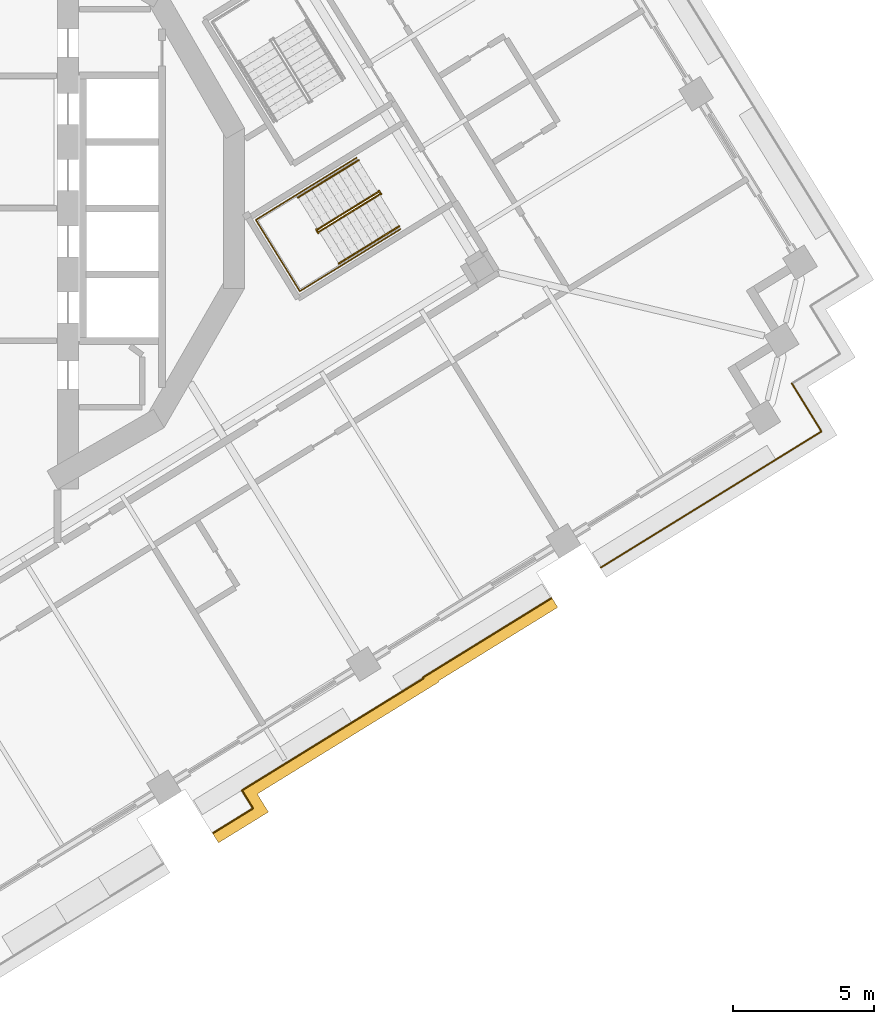
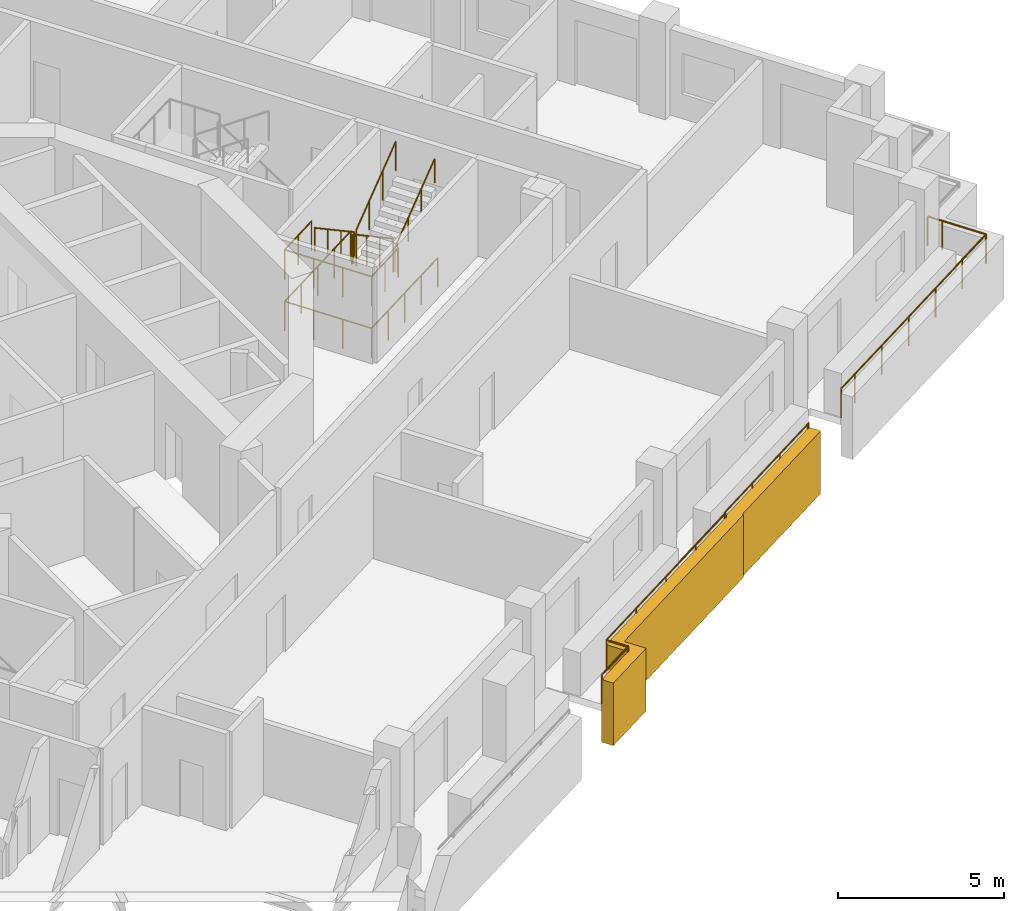
# One storey, part 16 of 20: 10 railings, 1 covering.
"""IFC4 building model written with IfcOpenShell, lengths in metres."""

from ifc_helpers import new_model, si_unit, direction, frame, origin, origin_2d, place, context, subcontext, project, spatial, polyline, circle, outline, extrude, material, type_object, element, save


model = new_model("IFC4")

# Units and contexts
model_context = context("Model", 3, precision=1e-05, world=origin(), true_north=direction((0.0, 1.0)))
body_context = subcontext(model_context, "Body", "Model", "MODEL_VIEW")
ifc_project = project(units=[si_unit("LENGTHUNIT", "METRE"), si_unit("AREAUNIT", "SQUARE_METRE"), si_unit("VOLUMEUNIT", "CUBIC_METRE"), si_unit("PLANEANGLEUNIT", "RADIAN"), si_unit("MASSUNIT", "GRAM", prefix="KILO")], contexts=[model_context])

# Site, building, storey
site_placement = place(None, origin())
site = spatial("IfcSite", under=ifc_project, at=site_placement, CompositionType="ELEMENT")
building_placement = place(site_placement, origin())
building = spatial("IfcBuilding", under=site, at=building_placement, Name="Cantera Rosa Tower", CompositionType="ELEMENT")
storey_placement = place(building_placement, frame((0.0, 0.0, 159.0)))
storey = spatial("IfcBuildingStorey", under=building, at=storey_placement, Name="L34", CompositionType="ELEMENT", Elevation=159.0)

# Railings
ifc_material_1 = material(Name="Stainless steel and laminated glass", Category="steel")
railing_type_1 = type_object("IfcRailingType", Name="GUARD 1100", PredefinedType="BALUSTRADE", material=ifc_material_1)
railing_1_placement = place(storey_placement, frame((16.9736328125, -16.659912109375, 0.0)))
element("IfcRailing", 1, at=railing_1_placement, inside=storey, type_object=railing_type_1, Name="GUARD L34-7", PredefinedType="BALUSTRADE", context=body_context, shape_type="SweptSolid", body=[
    extrude(circle(Radius=0.030029296875, at=origin_2d()), frame((0.0, 0.0, 1.070068359375), z_axis=(-0.851125237565, -0.524962693893, 0.0), x_axis=(0.524962693893, -0.851125237565, 0.0)), (0.0, 0.0, 1.0), 7.56982421875),
    extrude(circle(Radius=0.030029296875, at=origin_2d()), frame((-6.44287109375, -3.973876953125, 1.070068359375), z_axis=(0.525077247335, -0.851054571888, 0.0), x_axis=(0.851054571888, 0.525077247335, 0.0)), (0.0, 0.0, 1.0), 0.75048828125),
    extrude(circle(Radius=0.030029296875, at=origin_2d()), frame((-6.048828125, -4.612548828125, 1.070068359375), z_axis=(-0.851097514254, -0.525007639212, 0.0), x_axis=(0.525007639212, -0.851097514254, 0.0)), (0.0, 0.0, 1.0), 1.66064453125),
    extrude(circle(Radius=0.02490234375, at=origin_2d()), origin(), (0.0, 0.0, 1.0), 1.0400390625),
    extrude(circle(Radius=0.02490234375, at=origin_2d()), frame((-1.61083984375, -0.993408203125, 0.0)), (0.0, 0.0, 1.0), 1.0400390625),
    extrude(circle(Radius=0.02490234375, at=origin_2d()), frame((-3.221435546875, -1.98681640625, 0.0)), (0.0, 0.0, 1.0), 1.0400390625),
    extrude(circle(Radius=0.02490234375, at=origin_2d()), frame((-4.83203125, -2.98046875, 0.0)), (0.0, 0.0, 1.0), 1.0400390625),
    extrude(circle(Radius=0.02490234375, at=origin_2d()), frame((-6.44287109375, -3.973876953125, 0.0)), (0.0, 0.0, 1.0), 1.0400390625),
    extrude(circle(Radius=0.02490234375, at=origin_2d()), frame((-6.048828125, -4.612548828125, 0.0)), (0.0, 0.0, 1.0), 1.0400390625),
    extrude(circle(Radius=0.02490234375, at=origin_2d()), frame((-7.462158203125, -5.484375, 0.0)), (0.0, 0.0, 1.0), 1.0400390625),
])
railing_2_placement = place(storey_placement, frame((21.505615234375, -13.817138671875, 0.0)))
element("IfcRailing", 2, at=railing_2_placement, inside=storey, type_object=railing_type_1, Name="GUARD L34-8", PredefinedType="BALUSTRADE", context=body_context, shape_type="SweptSolid", body=[
    extrude(circle(Radius=0.030029296875, at=origin_2d()), frame((0.0, 0.0, 1.070068359375), z_axis=(-0.850339408664, -0.52623463405, 0.0), x_axis=(0.52623463405, -0.850339408664, 0.0)), (0.0, 0.0, 1.0), 0.070068359375),
    extrude(circle(Radius=0.030029296875, at=origin_2d()), frame((-0.0595703125, -0.036865234375, 1.070068359375), z_axis=(-0.851116462586, -0.524976920555, 0.0), x_axis=(0.524976920555, -0.851116462586, 0.0)), (0.0, 0.0, 1.0), 5.27978515625),
    extrude(circle(Radius=0.030029296875, at=origin_2d()), frame((-4.55322265625, -2.80859375, 1.070068359375), z_axis=(0.527815847616, -0.849358835243, 0.0), x_axis=(0.849358835243, 0.527815847616, 0.0)), (0.0, 0.0, 1.0), 0.040283203125),
    extrude(circle(Radius=0.02490234375, at=origin_2d()), origin(), (0.0, 0.0, 1.0), 1.0400390625),
    extrude(circle(Radius=0.02490234375, at=origin_2d()), frame((-0.0595703125, -0.036865234375, 0.0)), (0.0, 0.0, 1.0), 1.0400390625),
    extrude(circle(Radius=0.02490234375, at=origin_2d()), frame((-1.557373046875, -0.960693359375, 0.0)), (0.0, 0.0, 1.0), 1.0400390625),
    extrude(circle(Radius=0.02490234375, at=origin_2d()), frame((-3.055419921875, -1.884765625, 0.0)), (0.0, 0.0, 1.0), 1.0400390625),
    extrude(circle(Radius=0.02490234375, at=origin_2d()), frame((-4.55322265625, -2.80859375, 0.0)), (0.0, 0.0, 1.0), 1.0400390625),
    extrude(circle(Radius=0.02490234375, at=origin_2d()), frame((-4.531982421875, -2.8427734375, 0.0)), (0.0, 0.0, 1.0), 1.0400390625),
])
railing_3_placement = place(storey_placement, frame((30.03076171875, -6.208984375, 0.0)))
element("IfcRailing", 3, at=railing_3_placement, inside=storey, type_object=railing_type_1, Name="GUARD L34-9", PredefinedType="BALUSTRADE", context=body_context, shape_type="SweptSolid", body=[
    extrude(circle(Radius=0.030029296875, at=origin_2d()), frame((0.0, 0.0, 1.070068359375), z_axis=(0.52494176933, -0.851138143202, 0.0), x_axis=(0.851138143202, 0.52494176933, 0.0)), (0.0, 0.0, 1.0), 0.5),
    extrude(circle(Radius=0.030029296875, at=origin_2d()), frame((0.262451171875, -0.425537109375, 1.070068359375), z_axis=(0.524869051004, -0.85118298814, 0.0), x_axis=(0.85118298814, 0.524869051004, 0.0)), (0.0, 0.0, 1.0), 1.5),
    extrude(circle(Radius=0.030029296875, at=origin_2d()), frame((1.0498046875, -1.702392578125, 1.070068359375), z_axis=(-0.851138143202, -0.52494176933, 0.0), x_axis=(0.52494176933, -0.851138143202, 0.0)), (0.0, 0.0, 1.0), 1.5),
    extrude(circle(Radius=0.030029296875, at=origin_2d()), frame((-0.226806640625, -2.48974609375, 1.070068359375), z_axis=(-0.851120753703, -0.524969963537, 0.0), x_axis=(0.524969963537, -0.851120753703, 0.0)), (0.0, 0.0, 1.0), 6.820068359375),
    extrude(circle(Radius=0.030029296875, at=origin_2d()), frame((-6.031494140625, -6.070068359375, 1.070068359375), z_axis=(-0.851089370259, -0.525020841331, 0.0), x_axis=(0.525020841331, -0.851089370259, 0.0)), (0.0, 0.0, 1.0), 0.8701171875),
    extrude(circle(Radius=0.02490234375, at=origin_2d()), origin(), (0.0, 0.0, 1.0), 1.0400390625),
    extrude(circle(Radius=0.02490234375, at=origin_2d()), frame((0.262451171875, -0.425537109375, 0.0)), (0.0, 0.0, 1.0), 1.0400390625),
    extrude(circle(Radius=0.02490234375, at=origin_2d()), frame((1.0498046875, -1.702392578125, 0.0)), (0.0, 0.0, 1.0), 1.0400390625),
    extrude(circle(Radius=0.02490234375, at=origin_2d()), frame((-0.226806640625, -2.48974609375, 0.0)), (0.0, 0.0, 1.0), 1.0400390625),
    extrude(circle(Radius=0.02490234375, at=origin_2d()), frame((-1.677978515625, -3.384765625, 0.0)), (0.0, 0.0, 1.0), 1.0400390625),
    extrude(circle(Radius=0.02490234375, at=origin_2d()), frame((-3.129150390625, -4.27978515625, 0.0)), (0.0, 0.0, 1.0), 1.0400390625),
    extrude(circle(Radius=0.02490234375, at=origin_2d()), frame((-4.580322265625, -5.175048828125, 0.0)), (0.0, 0.0, 1.0), 1.0400390625),
    extrude(circle(Radius=0.02490234375, at=origin_2d()), frame((-6.031494140625, -6.070068359375, 0.0)), (0.0, 0.0, 1.0), 1.0400390625),
    extrude(circle(Radius=0.02490234375, at=origin_2d()), frame((-6.77197265625, -6.52685546875, 0.0)), (0.0, 0.0, 1.0), 1.0400390625),
])
ifc_material_2 = material(Name="Steel S355J2 (EN 10025-2)", Category="steel")
railing_type_2 = type_object("IfcRailingType", Name="STAIR GUARD 1100", PredefinedType="GUARDRAIL", material=ifc_material_2)
railing_4_placement = place(storey_placement, frame((15.36572265625, 0.57666015625, 0.18994140625)))
element("IfcRailing", 4, at=railing_4_placement, inside=storey, type_object=railing_type_2, Name="L34 ST-34 stair guard 1", PredefinedType="GUARDRAIL", context=body_context, shape_type="SweptSolid", body=[
    extrude(circle(Radius=0.02392578125, at=origin_2d()), frame((0.0, 0.0, 1.076171875), z_axis=(-0.704271375033, -0.434427613125, 0.561493080334), x_axis=(0.524999832248, -0.851102330005, 0.0)), (0.0, 0.0, 1.0), 3.04541015625),
    extrude(circle(Radius=0.02392578125, at=origin_2d()), frame((-2.144775390625, -1.322998046875, 2.7861328125), z_axis=(-0.997279572494, -0.073711968402, 0.0), x_axis=(0.073711968402, -0.997279572494, 0.0)), (0.0, 0.0, 1.0), 0.056396484375),
    extrude(circle(Radius=0.02392578125, at=origin_2d()), frame((-2.200927734375, -1.3271484375, 2.7861328125), z_axis=(0.525458245725, -0.850819388589, 0.0), x_axis=(0.850819388589, 0.525458245725, 0.0)), (0.0, 0.0, 1.0), 0.150146484375),
    extrude(circle(Radius=0.02099609375, at=origin_2d()), origin(), (0.0, 0.0, 1.0), 1.052001953125),
    extrude(circle(Radius=0.02099609375, at=origin_2d()), frame((-0.71484375, -0.44091796875, 0.570068359375)), (0.0, 0.0, 1.0), 1.052001953125),
    extrude(circle(Radius=0.02099609375, at=origin_2d()), frame((-1.429931640625, -0.882080078125, 1.139892578125)), (0.0, 0.0, 1.0), 1.052001953125),
    extrude(circle(Radius=0.02099609375, at=origin_2d()), frame((-2.144775390625, -1.322998046875, 1.7099609375)), (0.0, 0.0, 1.0), 1.052001953125),
    extrude(circle(Radius=0.02099609375, at=origin_2d()), frame((-2.200927734375, -1.3271484375, 1.7099609375)), (0.0, 0.0, 1.0), 1.052001953125),
    extrude(circle(Radius=0.02099609375, at=origin_2d()), frame((-2.1220703125, -1.454833984375, 1.7099609375)), (0.0, 0.0, 1.0), 1.052001953125),
])
railing_5_placement = place(storey_placement, frame((13.2724609375, -0.82958984375, 2.090087890625)))
element("IfcRailing", 5, at=railing_5_placement, inside=storey, type_object=railing_type_2, Name="L34 ST-34 stair guard 2", PredefinedType="GUARDRAIL", context=body_context, shape_type="SweptSolid", body=[
    extrude(circle(Radius=0.02392578125, at=origin_2d()), frame((0.0, 0.0, 1.076171875), z_axis=(0.70429590169, 0.434362572038, 0.561512634654), x_axis=(-0.524929648476, 0.851145618652, 0.0)), (0.0, 0.0, 1.0), 3.045166015625),
    extrude(circle(Radius=0.02099609375, at=origin_2d()), origin(), (0.0, 0.0, 1.0), 1.052001953125),
    extrude(circle(Radius=0.02099609375, at=origin_2d()), frame((0.71484375, 0.44091796875, 0.570068359375)), (0.0, 0.0, 1.0), 1.052001953125),
    extrude(circle(Radius=0.02099609375, at=origin_2d()), frame((1.429931640625, 0.8818359375, 1.139892578125)), (0.0, 0.0, 1.0), 1.052001953125),
    extrude(circle(Radius=0.02099609375, at=origin_2d()), frame((2.144775390625, 1.32275390625, 1.7099609375)), (0.0, 0.0, 1.0), 1.052001953125),
])
railing_6_placement = place(storey_placement, frame((15.394775390625, 0.625, 0.0)))
element("IfcRailing", 6, at=railing_6_placement, inside=storey, type_object=railing_type_2, Name="L34 ST-34 stair guard 3", PredefinedType="GUARDRAIL", context=body_context, shape_type="SweptSolid", body=[
    extrude(circle(Radius=0.02392578125, at=origin_2d()), frame((0.0, 0.0, 1.076171875), z_axis=(0.524279100842, -0.851546489876, 0.0), x_axis=(0.851546489876, 0.524279100842, 0.0)), (0.0, 0.0, 1.0), 0.14990234375),
    extrude(circle(Radius=0.02099609375, at=origin_2d()), origin(), (0.0, 0.0, 1.0), 1.052001953125),
    extrude(circle(Radius=0.02099609375, at=origin_2d()), frame((0.07861328125, -0.127685546875, 0.0)), (0.0, 0.0, 1.0), 1.052001953125),
])
railing_7_placement = place(storey_placement, frame((14.601806640625, 1.79248046875, 0.0)))
element("IfcRailing", 7, at=railing_7_placement, inside=storey, type_object=railing_type_2, Name="L34 ST-34 stair guard 4", PredefinedType="GUARDRAIL", context=body_context, shape_type="SweptSolid", body=[
    extrude(circle(Radius=0.02392578125, at=origin_2d()), frame((0.0, 0.0, 1.076171875), z_axis=(-0.851116735059, -0.524976478809, 0.0), x_axis=(0.524976478809, -0.851116735059, 0.0)), (0.0, 0.0, 1.0), 4.197998046875),
    extrude(circle(Radius=0.02392578125, at=origin_2d()), frame((-3.572998046875, -2.203857421875, 1.076171875), z_axis=(0.524950242429, -0.851132917336, 0.0), x_axis=(0.851132917336, 0.524950242429, 0.0)), (0.0, 0.0, 1.0), 2.969970703125),
    extrude(circle(Radius=0.02392578125, at=origin_2d()), frame((-2.013916015625, -4.731689453125, 1.076171875), z_axis=(0.851116735059, 0.524976478809, 0.0), x_axis=(-0.524976478809, 0.851116735059, 0.0)), (0.0, 0.0, 1.0), 4.197998046875),
    extrude(circle(Radius=0.02099609375, at=origin_2d()), origin(), (0.0, 0.0, 1.0), 1.052001953125),
    extrude(circle(Radius=0.02099609375, at=origin_2d()), frame((-0.893310546875, -0.551025390625, 0.0)), (0.0, 0.0, 1.0), 1.052001953125),
    extrude(circle(Radius=0.02099609375, at=origin_2d()), frame((-1.78662109375, -1.10205078125, 0.0)), (0.0, 0.0, 1.0), 1.052001953125),
    extrude(circle(Radius=0.02099609375, at=origin_2d()), frame((-2.6796875, -1.65283203125, 0.0)), (0.0, 0.0, 1.0), 1.052001953125),
    extrude(circle(Radius=0.02099609375, at=origin_2d()), frame((-3.572998046875, -2.203857421875, 0.0)), (0.0, 0.0, 1.0), 1.052001953125),
    extrude(circle(Radius=0.02099609375, at=origin_2d()), frame((-3.05322265625, -3.04638671875, 0.0)), (0.0, 0.0, 1.0), 1.052001953125),
    extrude(circle(Radius=0.02099609375, at=origin_2d()), frame((-2.53369140625, -3.88916015625, 0.0)), (0.0, 0.0, 1.0), 1.052001953125),
    extrude(circle(Radius=0.02099609375, at=origin_2d()), frame((-2.013916015625, -4.731689453125, 0.0)), (0.0, 0.0, 1.0), 1.052001953125),
    extrude(circle(Radius=0.02099609375, at=origin_2d()), frame((-1.12060546875, -4.1806640625, 0.0)), (0.0, 0.0, 1.0), 1.052001953125),
    extrude(circle(Radius=0.02099609375, at=origin_2d()), frame((-0.2275390625, -3.6298828125, 0.0)), (0.0, 0.0, 1.0), 1.052001953125),
    extrude(circle(Radius=0.02099609375, at=origin_2d()), frame((0.665771484375, -3.078857421875, 0.0)), (0.0, 0.0, 1.0), 1.052001953125),
    extrude(circle(Radius=0.02099609375, at=origin_2d()), frame((1.55908203125, -2.52783203125, 0.0)), (0.0, 0.0, 1.0), 1.052001953125),
])
railing_8_placement = place(storey_placement, frame((12.477294921875, 0.482177734375, 1.89990234375)))
element("IfcRailing", 8, at=railing_8_placement, inside=storey, type_object=railing_type_2, Name="L34 ST-34 stair guard 5", PredefinedType="GUARDRAIL", context=body_context, shape_type="SweptSolid", body=[
    extrude(circle(Radius=0.02392578125, at=origin_2d()), frame((0.0, 0.0, 1.076171875), z_axis=(-0.851086474909, -0.525025534833, 0.0), x_axis=(0.525025534833, -0.851086474909, 0.0)), (0.0, 0.0, 1.0), 1.701904296875),
    extrude(circle(Radius=0.02392578125, at=origin_2d()), frame((-1.448486328125, -0.8935546875, 1.076171875), z_axis=(0.524950242429, -0.851132917336, 0.0), x_axis=(0.851132917336, 0.524950242429, 0.0)), (0.0, 0.0, 1.0), 2.969970703125),
    extrude(circle(Radius=0.02392578125, at=origin_2d()), frame((0.110595703125, -3.42138671875, 1.076171875), z_axis=(0.851126009811, 0.524961441845, 0.0), x_axis=(-0.524961441845, 0.851126009811, 0.0)), (0.0, 0.0, 1.0), 1.7021484375),
    extrude(circle(Radius=0.02099609375, at=origin_2d()), origin(), (0.0, 0.0, 1.0), 1.052001953125),
    extrude(circle(Radius=0.02099609375, at=origin_2d()), frame((-0.72412109375, -0.44677734375, 0.0)), (0.0, 0.0, 1.0), 1.052001953125),
    extrude(circle(Radius=0.02099609375, at=origin_2d()), frame((-1.448486328125, -0.8935546875, 0.0)), (0.0, 0.0, 1.0), 1.052001953125),
    extrude(circle(Radius=0.02099609375, at=origin_2d()), frame((-0.9287109375, -1.736083984375, 0.0)), (0.0, 0.0, 1.0), 1.052001953125),
    extrude(circle(Radius=0.02099609375, at=origin_2d()), frame((-0.4091796875, -2.578857421875, 0.0)), (0.0, 0.0, 1.0), 1.052001953125),
    extrude(circle(Radius=0.02099609375, at=origin_2d()), frame((0.110595703125, -3.42138671875, 0.0)), (0.0, 0.0, 1.0), 1.052001953125),
    extrude(circle(Radius=0.02099609375, at=origin_2d()), frame((0.8349609375, -2.974609375, 0.0)), (0.0, 0.0, 1.0), 1.052001953125),
    extrude(circle(Radius=0.02099609375, at=origin_2d()), frame((1.559326171875, -2.52783203125, 0.0)), (0.0, 0.0, 1.0), 1.052001953125),
])
ifc_material_3 = material(Name="Steel S355J2 (EN 10025-2)", Category="steel")
railing_type_3 = type_object("IfcRailingType", Name="STAIR HANDRAIL 900", PredefinedType="HANDRAIL", material=ifc_material_3)
railing_9_placement = place(storey_placement, frame((14.669677734375, 1.705322265625, 0.18994140625)))
element("IfcRailing", 9, at=railing_9_placement, inside=storey, type_object=railing_type_3, Name="L34 ST-34 stair handrail 1", PredefinedType="HANDRAIL", context=body_context, shape_type="SweptSolid", body=[
    extrude(circle(Radius=0.02392578125, at=origin_2d()), frame((0.0, 0.0, 0.8759765625), z_axis=(-0.704271375033, -0.434427613125, 0.561493080334), x_axis=(0.524999832248, -0.851102330005, 0.0)), (0.0, 0.0, 1.0), 3.04541015625),
    extrude(circle(Radius=0.02099609375, at=origin_2d()), origin(), (0.0, 0.0, 1.0), 0.851806640625),
    extrude(circle(Radius=0.02099609375, at=origin_2d()), frame((-0.71484375, -0.44091796875, 0.570068359375)), (0.0, 0.0, 1.0), 0.851806640625),
    extrude(circle(Radius=0.02099609375, at=origin_2d()), frame((-1.429931640625, -0.882080078125, 1.139892578125)), (0.0, 0.0, 1.0), 0.851806640625),
    extrude(circle(Radius=0.02099609375, at=origin_2d()), frame((-2.144775390625, -1.322998046875, 1.7099609375)), (0.0, 0.0, 1.0), 0.851806640625),
])
railing_10_placement = place(storey_placement, frame((13.968505859375, -1.958251953125, 2.090087890625)))
element("IfcRailing", 10, at=railing_10_placement, inside=storey, type_object=railing_type_3, Name="L34 ST-34 stair handrail 2", PredefinedType="HANDRAIL", context=body_context, shape_type="SweptSolid", body=[
    extrude(circle(Radius=0.02392578125, at=origin_2d()), frame((0.0, 0.0, 0.8759765625), z_axis=(0.704311776172, 0.434403086168, 0.561461379502), x_axis=(-0.524956545799, 0.851129029597, 0.0)), (0.0, 0.0, 1.0), 3.045654296875),
    extrude(circle(Radius=0.02099609375, at=origin_2d()), origin(), (0.0, 0.0, 1.0), 0.851806640625),
    extrude(circle(Radius=0.02099609375, at=origin_2d()), frame((0.715087890625, 0.44091796875, 0.570068359375)), (0.0, 0.0, 1.0), 0.851806640625),
    extrude(circle(Radius=0.02099609375, at=origin_2d()), frame((1.429931640625, 0.882080078125, 1.139892578125)), (0.0, 0.0, 1.0), 0.851806640625),
    extrude(circle(Radius=0.02099609375, at=origin_2d()), frame((2.14501953125, 1.322998046875, 1.7099609375)), (0.0, 0.0, 1.0), 0.851806640625),
])

# Covering
ifc_material_4 = material(Name="Cantera stone", Category="masonry")
covering_type = type_object("IfcCoveringType", Name="TRAY FASCIA 400", PredefinedType="CLADDING", material=ifc_material_4)
covering_placement = place(storey_placement, frame((0.0, 0.0, -1.39990234375)))
element("IfcCovering", 11, at=covering_placement, inside=storey, type_object=covering_type, Name="TRAY FASCIA L34-06", PredefinedType="CLADDING", context=body_context, shape_type="SweptSolid", body=[
    extrude(outline(polyline([(21.656005859375, -14.1943359375), (17.502685546875, -16.756103515625), (17.52392578125, -16.79052734375), (11.081298828125, -20.764404296875), (11.475341796875, -21.403076171875), (9.704345703125, -22.495361328125), (9.494384765625, -22.15478515625), (10.9248046875, -21.2724609375), (10.53076171875, -20.6337890625), (16.9736328125, -16.659912109375), (16.952392578125, -16.625732421875), (21.446044921875, -13.85400390625), (21.5224609375, -13.806640625), (21.732666015625, -14.147216796875), (21.656005859375, -14.1943359375)])), origin(), (0.0, 0.0, 1.0), 2.2998046875),
])

save(model, "model.ifc")
